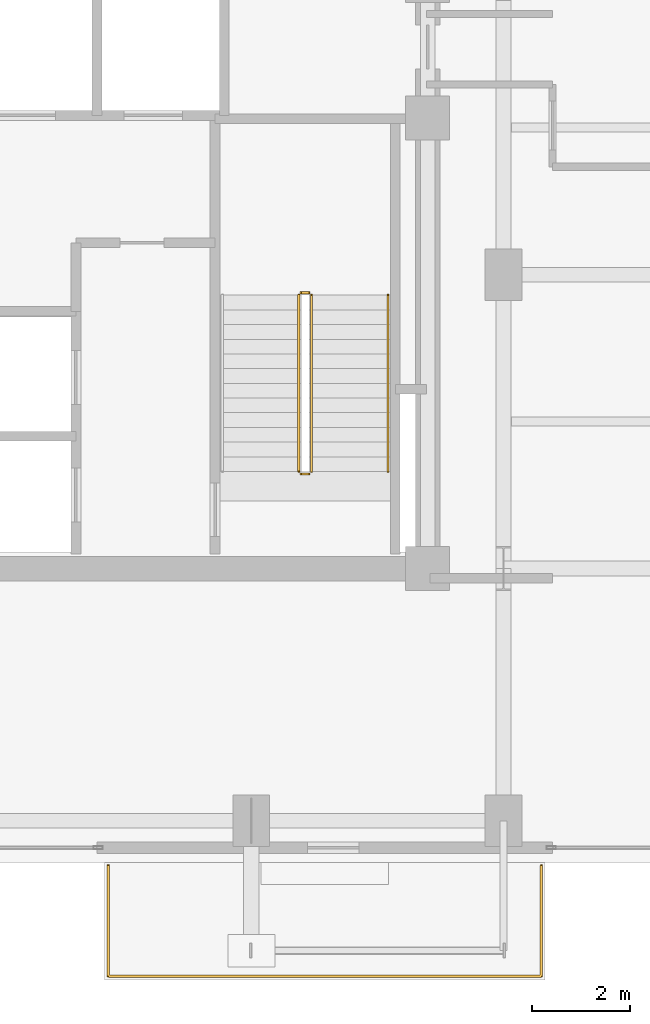
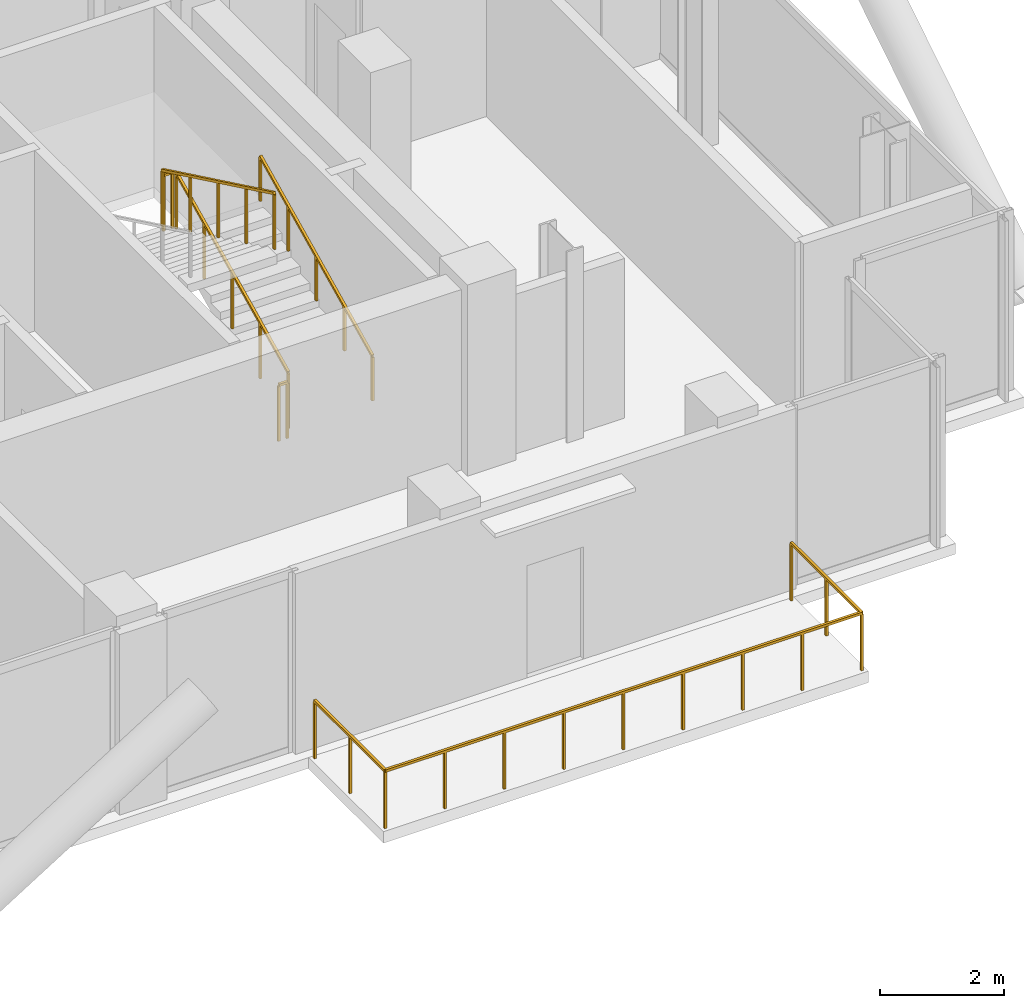
# One storey, part 25 of 25: 6 railings.
"""IFC4 building model written with IfcOpenShell, lengths in metres."""

from ifc_helpers import new_model, si_unit, direction, frame, origin, origin_2d, place, context, subcontext, project, spatial, rectangle, extrude, material, type_object, element, save


model = new_model("IFC4")

# Units and contexts
model_context = context("Model", 3, precision=1e-05, world=origin(), true_north=direction((0.0, 1.0)))
body_context = subcontext(model_context, "Body", "Model", "MODEL_VIEW")
ifc_project = project(units=[si_unit("LENGTHUNIT", "METRE"), si_unit("AREAUNIT", "SQUARE_METRE"), si_unit("VOLUMEUNIT", "CUBIC_METRE"), si_unit("PLANEANGLEUNIT", "RADIAN"), si_unit("MASSUNIT", "GRAM", prefix="KILO"), si_unit("THERMODYNAMICTEMPERATUREUNIT", "KELVIN"), si_unit("POWERUNIT", "WATT")], contexts=[model_context])

# Site, building, storey
site_placement = place(None, origin())
site = spatial("IfcSite", under=ifc_project, at=site_placement, CompositionType="ELEMENT")
building_placement = place(site_placement, origin())
building = spatial("IfcBuilding", under=site, at=building_placement, Name="Svarakhadi Broadcast Tower", CompositionType="ELEMENT")
storey_placement = place(building_placement, frame((0.0, 0.0, 227.39990234375)))
storey = spatial("IfcBuildingStorey", under=building, at=storey_placement, Name="L56", CompositionType="ELEMENT", Elevation=227.39990234375)

# Railings
ifc_material_1 = material(Name="Laminated Structural SentryGlas Balustrade 25.5 mm", Category="glass")
railing_type_1 = type_object("IfcRailingType", Name="Guard_Balcony_GR01", PredefinedType="BALUSTRADE", material=ifc_material_1)
railing_1_placement = place(storey_placement, frame((27.080078125, -0.06005859375, 0.0)))
element("IfcRailing", 1, at=railing_1_placement, inside=storey, type_object=railing_type_1, Name="L56 South Tree Balcony Guard GR-05", PredefinedType="BALUSTRADE", context=body_context, shape_type="SweptSolid", body=[
    extrude(rectangle(XDim=0.048095703125, YDim=0.048095703125, at=origin_2d()), frame((0.0, 0.0, 1.1259765625), z_axis=(0.0, -1.0, 0.0), x_axis=(1.0, 0.0, 0.0)), (0.0, 0.0, 1.0), 2.260009765625),
    extrude(rectangle(XDim=0.048095703125, YDim=0.048095703125, at=origin_2d()), frame((0.0, -2.260009765625, 1.1259765625), z_axis=(1.0, 0.0, 0.0), x_axis=(0.0, 1.0, 0.0)), (0.0, 0.0, 1.0), 8.83984375),
    extrude(rectangle(XDim=0.048095703125, YDim=0.048095703125, at=origin_2d()), frame((8.83984375, -2.260009765625, 1.1259765625), z_axis=(0.0, 1.0, 0.0), x_axis=(-1.0, 0.0, 0.0)), (0.0, 0.0, 1.0), 2.260009765625),
    extrude(rectangle(XDim=0.0419921875, YDim=0.0419921875, at=origin_2d()), origin(), (0.0, 0.0, 1.0), 1.101806640625),
    extrude(rectangle(XDim=0.0419921875, YDim=0.0419921875, at=origin_2d()), frame((0.0, -1.1298828125, 0.0)), (0.0, 0.0, 1.0), 1.101806640625),
    extrude(rectangle(XDim=0.0419921875, YDim=0.0419921875, at=origin_2d()), frame((0.0, -2.260009765625, 0.0)), (0.0, 0.0, 1.0), 1.101806640625),
    extrude(rectangle(XDim=0.0419921875, YDim=0.0419921875, at=origin_2d()), frame((1.10498046875, -2.260009765625, 0.0)), (0.0, 0.0, 1.0), 1.101806640625),
    extrude(rectangle(XDim=0.0419921875, YDim=0.0419921875, at=origin_2d()), frame((2.2099609375, -2.260009765625, 0.0)), (0.0, 0.0, 1.0), 1.101806640625),
    extrude(rectangle(XDim=0.0419921875, YDim=0.0419921875, at=origin_2d()), frame((3.31494140625, -2.260009765625, 0.0)), (0.0, 0.0, 1.0), 1.101806640625),
    extrude(rectangle(XDim=0.0419921875, YDim=0.0419921875, at=origin_2d()), frame((4.419921875, -2.260009765625, 0.0)), (0.0, 0.0, 1.0), 1.101806640625),
    extrude(rectangle(XDim=0.0419921875, YDim=0.0419921875, at=origin_2d()), frame((5.52490234375, -2.260009765625, 0.0)), (0.0, 0.0, 1.0), 1.101806640625),
    extrude(rectangle(XDim=0.0419921875, YDim=0.0419921875, at=origin_2d()), frame((6.6298828125, -2.260009765625, 0.0)), (0.0, 0.0, 1.0), 1.101806640625),
    extrude(rectangle(XDim=0.0419921875, YDim=0.0419921875, at=origin_2d()), frame((7.73486328125, -2.260009765625, 0.0)), (0.0, 0.0, 1.0), 1.101806640625),
    extrude(rectangle(XDim=0.0419921875, YDim=0.0419921875, at=origin_2d()), frame((8.83984375, -2.260009765625, 0.0)), (0.0, 0.0, 1.0), 1.101806640625),
    extrude(rectangle(XDim=0.0419921875, YDim=0.0419921875, at=origin_2d()), frame((8.83984375, -1.1298828125, 0.0)), (0.0, 0.0, 1.0), 1.101806640625),
    extrude(rectangle(XDim=0.0419921875, YDim=0.0419921875, at=origin_2d()), frame((8.83984375, 0.0, 0.0)), (0.0, 0.0, 1.0), 1.101806640625),
])
ifc_material_2 = material(Name="Anodised Bronze Aluminium AA 6063-T6", Category="aluminium")
railing_type_2 = type_object("IfcRailingType", Name="Guard_Stair_GR01", PredefinedType="GUARDRAIL", material=ifc_material_2)
railing_2_placement = place(storey_placement, frame((31.22998046875, 7.97998046875, 0.144287109375)))
element("IfcRailing", 2, at=railing_2_placement, inside=storey, type_object=railing_type_2, Name="L56 ST-02 stair guard 1", PredefinedType="GUARDRAIL", context=body_context, shape_type="SweptSolid", body=[
    extrude(rectangle(XDim=0.048095703125, YDim=0.048095703125, at=origin_2d()), frame((0.0, 0.0, 1.09619140625), z_axis=(0.0, 0.901262522062, 0.433273431364), x_axis=(-1.0, 0.0, 0.0)), (0.0, 0.0, 1.0), 3.994384765625),
    extrude(rectangle(XDim=0.0419921875, YDim=0.0419921875, at=origin_2d()), origin(), (0.0, 0.0, 1.0), 1.072021484375),
    extrude(rectangle(XDim=0.0419921875, YDim=0.0419921875, at=origin_2d()), frame((0.0, 0.89990234375, 0.4326171875)), (0.0, 0.0, 1.0), 1.072021484375),
    extrude(rectangle(XDim=0.0419921875, YDim=0.0419921875, at=origin_2d()), frame((0.0, 1.800048828125, 0.865234375)), (0.0, 0.0, 1.0), 1.072021484375),
    extrude(rectangle(XDim=0.0419921875, YDim=0.0419921875, at=origin_2d()), frame((0.0, 2.7001953125, 1.298095703125)), (0.0, 0.0, 1.0), 1.072021484375),
    extrude(rectangle(XDim=0.0419921875, YDim=0.0419921875, at=origin_2d()), frame((0.0, 3.60009765625, 1.730712890625)), (0.0, 0.0, 1.0), 1.072021484375),
])
railing_3_placement = place(storey_placement, frame((31.179931640625, 11.6298828125, 1.875)))
element("IfcRailing", 3, at=railing_3_placement, inside=storey, type_object=railing_type_2, Name="L56 ST-02 stair guard 2", PredefinedType="GUARDRAIL", context=body_context, shape_type="SweptSolid", body=[
    extrude(rectangle(XDim=0.048095703125, YDim=0.048095703125, at=origin_2d()), frame((0.0, 0.0, 1.09619140625), z_axis=(-1.0, 0.0, 0.0), x_axis=(0.0, -1.0, 0.0)), (0.0, 0.0, 1.0), 0.159912109375),
    extrude(rectangle(XDim=0.0419921875, YDim=0.0419921875, at=origin_2d()), origin(), (0.0, 0.0, 1.0), 1.072021484375),
    extrude(rectangle(XDim=0.0419921875, YDim=0.0419921875, at=origin_2d()), frame((-0.159912109375, 0.0, 0.0)), (0.0, 0.0, 1.0), 1.072021484375),
])
railing_4_placement = place(storey_placement, frame((30.969970703125, 11.580078125, 2.019287109375)))
element("IfcRailing", 4, at=railing_4_placement, inside=storey, type_object=railing_type_2, Name="L56 ST-02 stair guard 3", PredefinedType="GUARDRAIL", context=body_context, shape_type="SweptSolid", body=[
    extrude(rectangle(XDim=0.048095703125, YDim=0.048095703125, at=origin_2d()), frame((0.0, 0.0, 1.09619140625), z_axis=(0.0, -0.901262522062, 0.433273431364), x_axis=(1.0, 0.0, 0.0)), (0.0, 0.0, 1.0), 3.994384765625),
    extrude(rectangle(XDim=0.0419921875, YDim=0.0419921875, at=origin_2d()), origin(), (0.0, 0.0, 1.0), 1.072021484375),
    extrude(rectangle(XDim=0.0419921875, YDim=0.0419921875, at=origin_2d()), frame((0.0, -0.89990234375, 0.4326171875)), (0.0, 0.0, 1.0), 1.072021484375),
    extrude(rectangle(XDim=0.0419921875, YDim=0.0419921875, at=origin_2d()), frame((0.0, -1.800048828125, 0.865234375)), (0.0, 0.0, 1.0), 1.072021484375),
    extrude(rectangle(XDim=0.0419921875, YDim=0.0419921875, at=origin_2d()), frame((0.0, -2.7001953125, 1.298095703125)), (0.0, 0.0, 1.0), 1.072021484375),
    extrude(rectangle(XDim=0.0419921875, YDim=0.0419921875, at=origin_2d()), frame((0.0, -3.60009765625, 1.730712890625)), (0.0, 0.0, 1.0), 1.072021484375),
])
railing_5_placement = place(storey_placement, frame((31.179931640625, 7.929931640625, 0.0)))
element("IfcRailing", 5, at=railing_5_placement, inside=storey, type_object=railing_type_2, Name="L56 ST-02 stair guard 4", PredefinedType="GUARDRAIL", context=body_context, shape_type="SweptSolid", body=[
    extrude(rectangle(XDim=0.048095703125, YDim=0.048095703125, at=origin_2d()), frame((0.0, 0.0, 1.09619140625), z_axis=(-1.0, 0.0, 0.0), x_axis=(0.0, -1.0, 0.0)), (0.0, 0.0, 1.0), 0.159912109375),
    extrude(rectangle(XDim=0.0419921875, YDim=0.0419921875, at=origin_2d()), origin(), (0.0, 0.0, 1.0), 1.072021484375),
    extrude(rectangle(XDim=0.0419921875, YDim=0.0419921875, at=origin_2d()), frame((-0.159912109375, 0.0, 0.0)), (0.0, 0.0, 1.0), 1.072021484375),
])
railing_type_3 = type_object("IfcRailingType", Name="Handrail_Stair_HR01", PredefinedType="HANDRAIL", material=ifc_material_2)
railing_6_placement = place(storey_placement, frame((32.7900390625, 7.97998046875, 0.144287109375)))
element("IfcRailing", 6, at=railing_6_placement, inside=storey, type_object=railing_type_3, Name="L56 ST-02 stair handrail 1", PredefinedType="HANDRAIL", context=body_context, shape_type="SweptSolid", body=[
    extrude(rectangle(XDim=0.048095703125, YDim=0.048095703125, at=origin_2d()), frame((0.0, 0.0, 0.8759765625), z_axis=(0.0, 0.901262522062, 0.433273431364), x_axis=(-1.0, 0.0, 0.0)), (0.0, 0.0, 1.0), 3.994384765625),
    extrude(rectangle(XDim=0.0419921875, YDim=0.0419921875, at=origin_2d()), origin(), (0.0, 0.0, 1.0), 0.851806640625),
    extrude(rectangle(XDim=0.0419921875, YDim=0.0419921875, at=origin_2d()), frame((0.0, 0.89990234375, 0.4326171875)), (0.0, 0.0, 1.0), 0.851806640625),
    extrude(rectangle(XDim=0.0419921875, YDim=0.0419921875, at=origin_2d()), frame((0.0, 1.800048828125, 0.865234375)), (0.0, 0.0, 1.0), 0.851806640625),
    extrude(rectangle(XDim=0.0419921875, YDim=0.0419921875, at=origin_2d()), frame((0.0, 2.7001953125, 1.298095703125)), (0.0, 0.0, 1.0), 0.851806640625),
    extrude(rectangle(XDim=0.0419921875, YDim=0.0419921875, at=origin_2d()), frame((0.0, 3.60009765625, 1.730712890625)), (0.0, 0.0, 1.0), 0.851806640625),
])

save(model, "model.ifc")
